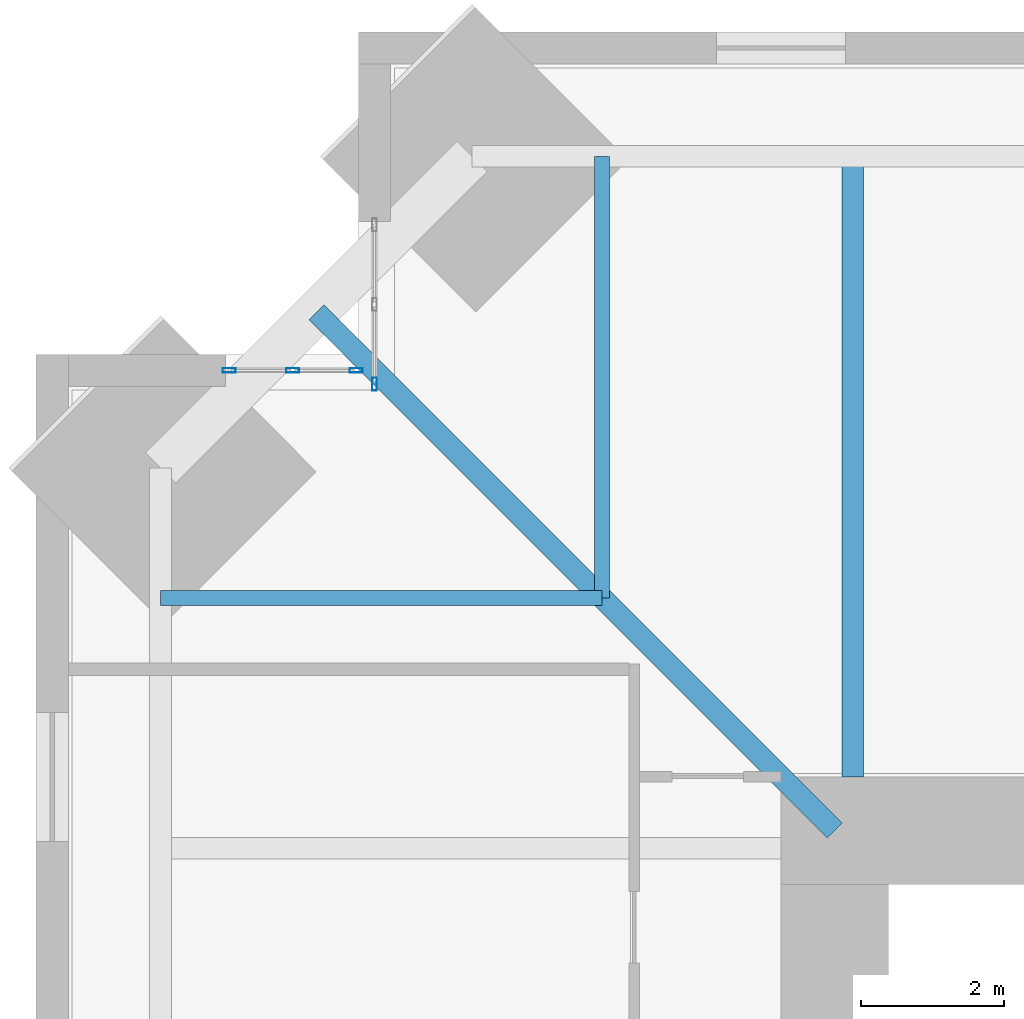
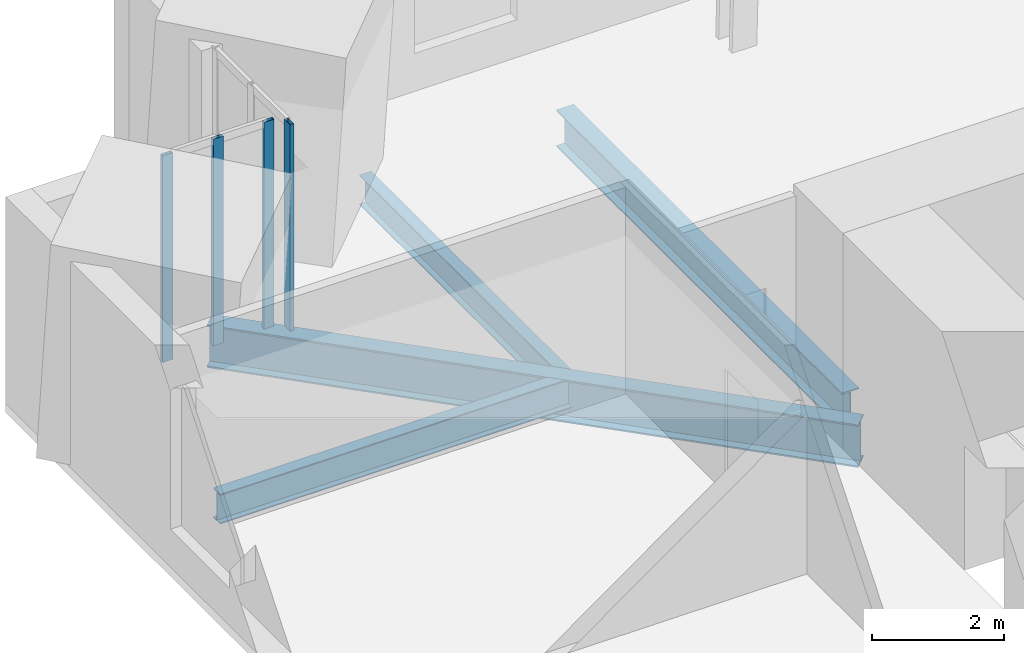
# One storey, part 6 of 17: 4 beams, 4 members, 2 elements without a shape of their own.
"""IFC4 building model written with IfcOpenShell, lengths in metres."""

from ifc_helpers import new_model, si_unit, direction, frame, origin, origin_2d, place, context, subcontext, project, spatial, hollow_rectangle, i_section, extrude, material, material_profile, profile_set, type_object, element, aggregate, save


model = new_model("IFC4")

# Units and contexts
model_context = context("Model", 3, precision=1e-05, world=origin(), true_north=direction((0.0, 1.0)))
body_context = subcontext(model_context, "Body", "Model", "MODEL_VIEW")
ifc_project = project(units=[si_unit("LENGTHUNIT", "METRE"), si_unit("AREAUNIT", "SQUARE_METRE"), si_unit("VOLUMEUNIT", "CUBIC_METRE"), si_unit("PLANEANGLEUNIT", "RADIAN"), si_unit("MASSUNIT", "GRAM", prefix="KILO")], contexts=[model_context])

# Site, building, storey
site_placement = place(None, origin())
site = spatial("IfcSite", under=ifc_project, at=site_placement, CompositionType="ELEMENT")
building_placement = place(site_placement, origin())
building = spatial("IfcBuilding", under=site, at=building_placement, Name="Peilmerk Tower", CompositionType="ELEMENT")
storey_placement = place(building_placement, frame((0.0, 0.0, 253.800048828125)))
storey = spatial("IfcBuildingStorey", under=building, at=storey_placement, Name="L56", CompositionType="ELEMENT", Elevation=253.800048828125)

# Beams
ifc_material_1 = material(Name="Steel S355", Category="steel")
ifc_material_profile_1 = material_profile(ifc_material_1, i_section(OverallWidth=0.2099609375, OverallDepth=0.550048828125, WebThickness=0.010986328125, FlangeThickness=0.01708984375, at=origin_2d()), Name="IPE 550")
ifc_profile_set_1 = profile_set([ifc_material_profile_1], Name="Steel S355")
beam_type_1 = type_object("IfcBeamType", Name="B12 IPE 550 floor beam", PredefinedType="BEAM", material=ifc_profile_set_1)
for number, where, z_axis, x_axis, name in (
    (1, (-14.5, 14.5, -0.445068359375), (0.0, 1.0, 0.0), (-1.0, 0.0, 0.0), "Floor beam L56"),
    (2, (-14.5, 14.5, -0.445068359375), (-1.0, 0.0, 0.0), (0.0, -1.0, 0.0), "Floor beam L56"),
):
    element("IfcBeam", number, at=place(storey_placement, frame(where, z_axis=z_axis, x_axis=x_axis)), inside=storey, type_object=beam_type_1, Name=name, PredefinedType="BEAM", context=body_context, shape_type="SweptSolid", body=[
        extrude(i_section(OverallWidth=0.2099609375, OverallDepth=0.550048828125, WebThickness=0.010986328125, FlangeThickness=0.01708984375, at=origin_2d()), origin(), (0.0, 0.0, 1.0), 6.162841796875),
    ])
ifc_material_profile_2 = material_profile(ifc_material_1, i_section(OverallWidth=0.300048828125, OverallDepth=0.68994140625, WebThickness=0.014404296875, FlangeThickness=0.027099609375, at=origin_2d()), Name="HEA 700")
ifc_profile_set_2 = profile_set([ifc_material_profile_2], Name="Steel S355")
beam_type_2 = type_object("IfcBeamType", Name="B16 HEA 700 floor beam", PredefinedType="BEAM", material=ifc_profile_set_2)
beam_1_placement = place(storey_placement, frame((-11.0, 12.0, -0.51513671875), z_axis=(0.0, 1.0, 0.0), x_axis=(-1.0, 0.0, 0.0)))
element("IfcBeam", 3, at=beam_1_placement, inside=storey, type_object=beam_type_2, Name="Floor beam L56", PredefinedType="BEAM", context=body_context, shape_type="SweptSolid", body=[
    extrude(i_section(OverallWidth=0.300048828125, OverallDepth=0.68994140625, WebThickness=0.014404296875, FlangeThickness=0.027099609375, at=origin_2d()), origin(), (0.0, 0.0, 1.0), 8.662841796875),
])
ifc_material_profile_3 = material_profile(ifc_material_1, i_section(OverallWidth=0.300048828125, OverallDepth=0.7900390625, WebThickness=0.014892578125, FlangeThickness=0.028076171875, at=origin_2d()), Name="HEA 800")
ifc_profile_set_3 = profile_set([ifc_material_profile_3], Name="Steel S355")
beam_type_3 = type_object("IfcBeamType", Name="B3 HEA 800 floor beam", PredefinedType="BEAM", material=ifc_profile_set_3)
beam_2_placement = place(storey_placement, frame((-11.25, 11.25, -0.56494140625), z_axis=(-0.707106781187, 0.707106781187, 0.0), x_axis=(-0.707106781187, -0.707106781187, 0.0)))
element("IfcBeam", 4, at=beam_2_placement, inside=storey, type_object=beam_type_3, Name="Corner girder L56", PredefinedType="BEAM", context=body_context, shape_type="SweptSolid", body=[
    extrude(i_section(OverallWidth=0.300048828125, OverallDepth=0.7900390625, WebThickness=0.014892578125, FlangeThickness=0.028076171875, at=origin_2d()), origin(), (0.0, 0.0, 1.0), 10.23583984375),
])

# Curtain wall, member
ifc_material_2 = material(Name="Aluminium stick curtain wall", Category="aluminium")
curtain_wall_type = type_object("IfcCurtainWallType", Name="CW4 stick curtain wall, 2250 module", PredefinedType="NOTDEFINED", material=ifc_material_2)
curtain_wall_1_placement = place(storey_placement, origin())
curtain_wall_1 = element("IfcCurtainWall", 5, at=curtain_wall_1_placement, inside=storey, type_object=curtain_wall_type, Name="Curtain wall CW4 NWA L56", PredefinedType="NOTDEFINED")
ifc_material_3 = material(Name="Aluminium EN AW-6063 T6", Category="aluminium")
ifc_material_profile_4 = material_profile(ifc_material_3, hollow_rectangle(XDim=0.06494140625, YDim=0.179931640625, WallThickness=0.0029296875, at=origin_2d()), Name="AL 180x65x3")
ifc_profile_set_4 = profile_set([ifc_material_profile_4], Name="Aluminium EN AW-6063 T6")
member_type = type_object("IfcMemberType", Name="CW4-M AL 180x65x3 mullion", PredefinedType="MULLION", material=ifc_profile_set_4)
member_1_placement = place(storey_placement, frame((-17.675048828125, 17.482421875, 0.0), z_axis=(0.0, 0.0, 1.0), x_axis=(-1.0, 0.0, 0.0)))
member_1 = element("IfcMember", 6, at=member_1_placement, type_object=member_type, Name="CW4 mullion 1", PredefinedType="MULLION", context=body_context, shape_type="SweptSolid", body=[
    extrude(hollow_rectangle(XDim=0.06494140625, YDim=0.179931640625, WallThickness=0.0029296875, at=origin_2d()), origin(), (0.0, 0.0, 1.0), 3.829833984375),
])
aggregate(curtain_wall_1, [member_1])

# Curtain wall, members
curtain_wall_2_placement = place(storey_placement, origin())
curtain_wall_2 = element("IfcCurtainWall", 7, at=curtain_wall_2_placement, inside=storey, type_object=curtain_wall_type, Name="Curtain wall CW4 NWB L56", PredefinedType="NOTDEFINED")
member_2_placement = place(storey_placement, frame((-17.9326171875, 17.675048828125, 0.0), z_axis=(0.0, 0.0, 1.0), x_axis=(0.0, -1.0, 0.0)))
member_2 = element("IfcMember", 8, at=member_2_placement, type_object=member_type, Name="CW4 mullion 1", PredefinedType="MULLION", context=body_context, shape_type="SweptSolid", body=[
    extrude(hollow_rectangle(XDim=0.06494140625, YDim=0.179931640625, WallThickness=0.0029296875, at=origin_2d()), origin(), (0.0, 0.0, 1.0), 3.829833984375),
])
member_3_placement = place(storey_placement, frame((-18.8193359375, 17.675048828125, 0.0), z_axis=(0.0, 0.0, 1.0), x_axis=(0.0, -1.0, 0.0)))
member_3 = element("IfcMember", 9, at=member_3_placement, type_object=member_type, Name="CW4 mullion 2", PredefinedType="MULLION", context=body_context, shape_type="SweptSolid", body=[
    extrude(hollow_rectangle(XDim=0.06494140625, YDim=0.179931640625, WallThickness=0.0029296875, at=origin_2d()), origin(), (0.0, 0.0, 1.0), 3.829833984375),
])
member_4_placement = place(storey_placement, frame((-19.706298828125, 17.675048828125, 0.0), z_axis=(0.0, 0.0, 1.0), x_axis=(0.0, -1.0, 0.0)))
member_4 = element("IfcMember", 10, at=member_4_placement, type_object=member_type, Name="CW4 mullion 3", PredefinedType="MULLION", context=body_context, shape_type="SweptSolid", body=[
    extrude(hollow_rectangle(XDim=0.06494140625, YDim=0.179931640625, WallThickness=0.0029296875, at=origin_2d()), origin(), (0.0, 0.0, 1.0), 3.829833984375),
])
aggregate(curtain_wall_2, [member_2, member_3, member_4])

save(model, "model.ifc")
